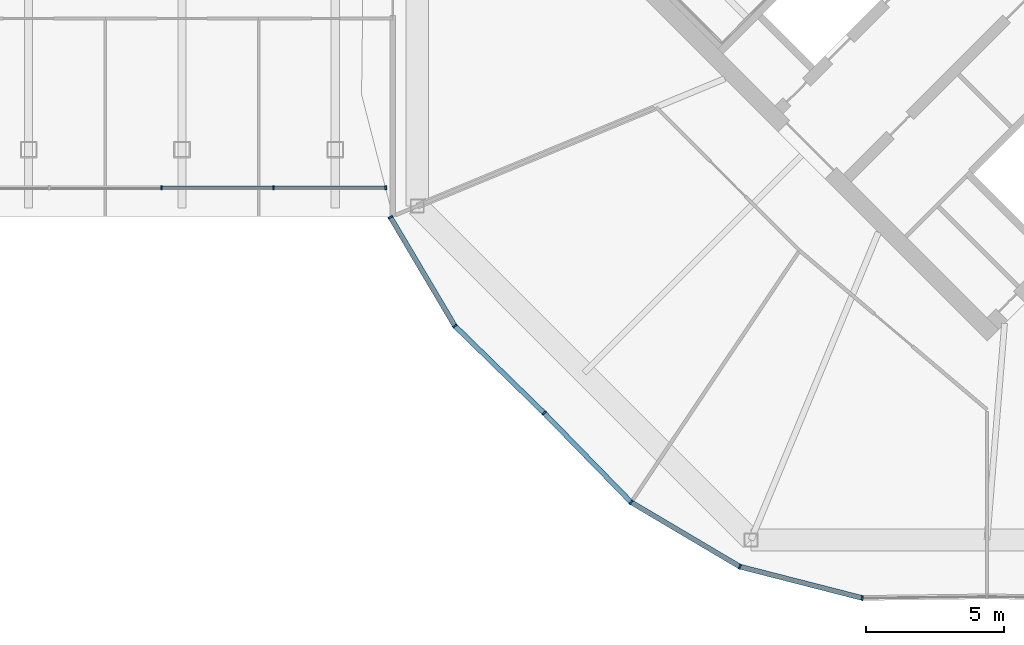
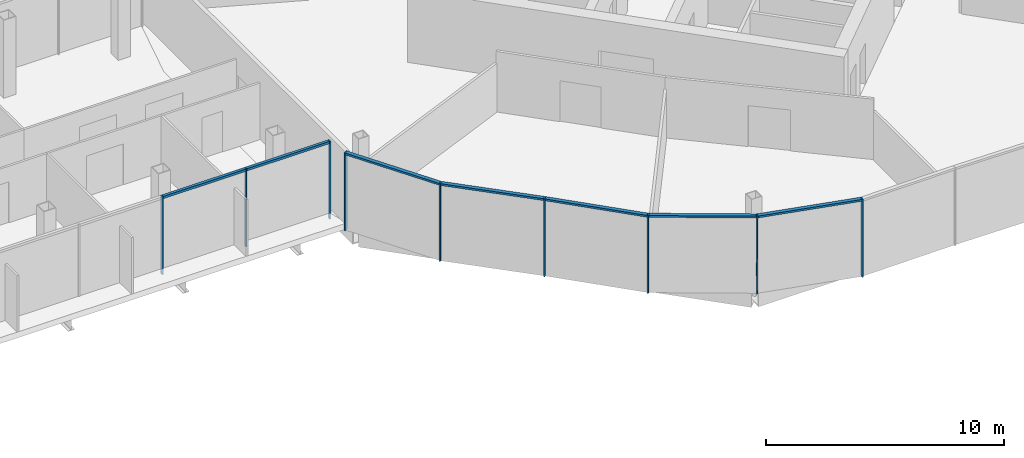
# One storey, part 11 of 25: 16 members, 3 elements without a shape of their own.
"""IFC4 building model written with IfcOpenShell, lengths in metres."""

from ifc_helpers import new_model, si_unit, direction, frame, origin, origin_2d, place, context, subcontext, project, spatial, rectangle, extrude, material, material_profile, profile_set, type_object, element, aggregate, save


model = new_model("IFC4")

# Units and contexts
model_context = context("Model", 3, precision=1e-05, world=origin(), true_north=direction((0.0, 1.0)))
body_context = subcontext(model_context, "Body", "Model", "MODEL_VIEW")
ifc_project = project(units=[si_unit("LENGTHUNIT", "METRE"), si_unit("AREAUNIT", "SQUARE_METRE"), si_unit("VOLUMEUNIT", "CUBIC_METRE"), si_unit("PLANEANGLEUNIT", "RADIAN"), si_unit("MASSUNIT", "GRAM", prefix="KILO")], contexts=[model_context])

# Site, building, storey
site_placement = place(None, origin())
site = spatial("IfcSite", under=ifc_project, at=site_placement, CompositionType="ELEMENT")
building_placement = place(site_placement, origin())
building = spatial("IfcBuilding", under=site, at=building_placement, Name="Ogive Gate Towers", CompositionType="ELEMENT")
storey_placement = place(building_placement, frame((0.0, 0.0, 144.800048828125)))
storey = spatial("IfcBuildingStorey", under=building, at=storey_placement, Name="L34", CompositionType="ELEMENT", Elevation=144.800048828125)

# Curtain wall, members
ifc_material = material(Name="Pale metal aluminium", Category="aluminium")
curtain_wall_type_1 = type_object("IfcCurtainWallType", Name="Gate block facade", PredefinedType="NOTDEFINED", material=ifc_material)
curtain_wall_1_placement = place(storey_placement, origin())
curtain_wall_1 = element("IfcCurtainWall", 1, at=curtain_wall_1_placement, inside=storey, type_object=curtain_wall_type_1, Name="CW3 BR ECW01", PredefinedType="NOTDEFINED")
ifc_material_profile_1 = material_profile(ifc_material, rectangle(XDim=0.139892578125, YDim=0.06005859375, at=origin_2d()), Name="60 x 140 aluminium box")
ifc_profile_set_1 = profile_set([ifc_material_profile_1], Name="Pale metal aluminium")
member_type_1 = type_object("IfcMemberType", Name="Gate block facade mullion 60 x 140", PredefinedType="MULLION", material=ifc_profile_set_1)
member_1_placement = place(storey_placement, frame((6.09326171875, -7.886474609375, -0.300048828125), z_axis=(0.0, 0.0, 1.0), x_axis=(0.0, -1.0, 0.0)))
member_1 = element("IfcMember", 2, at=member_1_placement, type_object=member_type_1, Name="CW3 mullion", PredefinedType="MULLION", context=body_context, shape_type="SweptSolid", body=[
    extrude(rectangle(XDim=0.139892578125, YDim=0.06005859375, at=origin_2d()), origin(), (0.0, 0.0, 1.0), 4.0),
])
member_2_placement = place(storey_placement, frame((10.1552734375, -7.886474609375, -0.300048828125), z_axis=(0.0, 0.0, 1.0), x_axis=(0.0, -1.0, 0.0)))
member_2 = element("IfcMember", 3, at=member_2_placement, type_object=member_type_1, Name="CW3 mullion", PredefinedType="MULLION", context=body_context, shape_type="SweptSolid", body=[
    extrude(rectangle(XDim=0.139892578125, YDim=0.06005859375, at=origin_2d()), origin(), (0.0, 0.0, 1.0), 4.0),
])
member_3_placement = place(storey_placement, frame((14.21728515625, -7.886474609375, -0.300048828125), z_axis=(0.0, 0.0, 1.0), x_axis=(0.0, -1.0, 0.0)))
member_3 = element("IfcMember", 4, at=member_3_placement, type_object=member_type_1, Name="CW3 mullion", PredefinedType="MULLION", context=body_context, shape_type="SweptSolid", body=[
    extrude(rectangle(XDim=0.139892578125, YDim=0.06005859375, at=origin_2d()), origin(), (0.0, 0.0, 1.0), 4.0),
])
ifc_material_profile_2 = material_profile(ifc_material, rectangle(XDim=0.139892578125, YDim=0.1201171875, at=origin_2d()), Name="120 x 140 aluminium box")
ifc_profile_set_2 = profile_set([ifc_material_profile_2], Name="Pale metal aluminium")
member_type_2 = type_object("IfcMemberType", Name="Gate block facade transom 120 x 140", PredefinedType="USERDEFINED", material=ifc_profile_set_2)
member_4_placement = place(storey_placement, frame((6.123291015625, -7.886474609375, 3.639892578125), z_axis=(1.0, 0.0, 0.0), x_axis=(0.0, 1.0, 0.0)))
member_4 = element("IfcMember", 5, at=member_4_placement, type_object=member_type_2, Name="CW3 transom", ObjectType="TRANSOM", PredefinedType="USERDEFINED", context=body_context, shape_type="SweptSolid", body=[
    extrude(rectangle(XDim=0.139892578125, YDim=0.1201171875, at=origin_2d()), origin(), (0.0, 0.0, 1.0), 4.001953125),
])
member_5_placement = place(storey_placement, frame((10.185302734375, -7.886474609375, 3.639892578125), z_axis=(1.0, 0.0, 0.0), x_axis=(0.0, 1.0, 0.0)))
member_5 = element("IfcMember", 6, at=member_5_placement, type_object=member_type_2, Name="CW3 transom", ObjectType="TRANSOM", PredefinedType="USERDEFINED", context=body_context, shape_type="SweptSolid", body=[
    extrude(rectangle(XDim=0.139892578125, YDim=0.1201171875, at=origin_2d()), origin(), (0.0, 0.0, 1.0), 4.002197265625),
])
aggregate(curtain_wall_1, [member_1, member_2, member_4, member_3, member_5])

curtain_wall_type_2 = type_object("IfcCurtainWallType", Name="Tower unitised wall, high zone", PredefinedType="NOTDEFINED", material=ifc_material)
curtain_wall_2_placement = place(storey_placement, origin())
curtain_wall_2 = element("IfcCurtainWall", 7, at=curtain_wall_2_placement, inside=storey, type_object=curtain_wall_type_2, Name="CW2 T2 ECW05", PredefinedType="NOTDEFINED")
ifc_material_profile_3 = material_profile(ifc_material, rectangle(XDim=0.179931640625, YDim=0.06005859375, at=origin_2d()), Name="60 x 180 aluminium box")
ifc_profile_set_3 = profile_set([ifc_material_profile_3], Name="Pale metal aluminium")
member_type_3 = type_object("IfcMemberType", Name="Tower unitised wall, high zone mullion 60 x 180", PredefinedType="MULLION", material=ifc_profile_set_3)
member_6_placement = place(storey_placement, frame((14.388916015625, -8.9501953125, -0.300048828125), z_axis=(0.0, 0.0, 1.0), x_axis=(-0.860466483121, -0.509507047474, 0.0)))
member_6 = element("IfcMember", 8, at=member_6_placement, type_object=member_type_3, Name="CW2 mullion", PredefinedType="MULLION", context=body_context, shape_type="SweptSolid", body=[
    extrude(rectangle(XDim=0.179931640625, YDim=0.06005859375, at=origin_2d()), origin(), (0.0, 0.0, 1.0), 4.0),
])
member_7_placement = place(storey_placement, frame((16.7216796875, -12.889892578125, -0.300048828125), z_axis=(0.0, 0.0, 1.0), x_axis=(-0.786148223999, -0.618038000371, 0.0)))
member_7 = element("IfcMember", 9, at=member_7_placement, type_object=member_type_3, Name="CW2 mullion", PredefinedType="MULLION", context=body_context, shape_type="SweptSolid", body=[
    extrude(rectangle(XDim=0.179931640625, YDim=0.06005859375, at=origin_2d()), origin(), (0.0, 0.0, 1.0), 4.0),
])
member_8_placement = place(storey_placement, frame((19.955810546875, -16.044189453125, -0.300048828125), z_axis=(0.0, 0.0, 1.0), x_axis=(-0.698240387858, -0.715863367385, 0.0)))
member_8 = element("IfcMember", 10, at=member_8_placement, type_object=member_type_3, Name="CW2 mullion", PredefinedType="MULLION", context=body_context, shape_type="SweptSolid", body=[
    extrude(rectangle(XDim=0.179931640625, YDim=0.06005859375, at=origin_2d()), origin(), (0.0, 0.0, 1.0), 4.0),
])

curtain_wall_3_placement = place(storey_placement, origin())
curtain_wall_3 = element("IfcCurtainWall", 11, at=curtain_wall_3_placement, inside=storey, type_object=curtain_wall_type_2, Name="CW2 T2 ECW06", PredefinedType="NOTDEFINED")
member_9_placement = place(storey_placement, frame((23.110107421875, -19.2783203125, -0.300048828125), z_axis=(0.0, 0.0, 1.0), x_axis=(-0.618038000371, -0.786148223999, 0.0)))
member_9 = element("IfcMember", 12, at=member_9_placement, type_object=member_type_3, Name="CW2 mullion", PredefinedType="MULLION", context=body_context, shape_type="SweptSolid", body=[
    extrude(rectangle(XDim=0.179931640625, YDim=0.06005859375, at=origin_2d()), origin(), (0.0, 0.0, 1.0), 4.0),
])
member_10_placement = place(storey_placement, frame((27.048583984375, -21.610595703125, -0.300048828125), z_axis=(0.0, 0.0, 1.0), x_axis=(-0.382683432365, -0.923879532511, 0.0)))
member_10 = element("IfcMember", 13, at=member_10_placement, type_object=member_type_3, Name="CW2 mullion", PredefinedType="MULLION", context=body_context, shape_type="SweptSolid", body=[
    extrude(rectangle(XDim=0.179931640625, YDim=0.06005859375, at=origin_2d()), origin(), (0.0, 0.0, 1.0), 4.0),
])
member_11_placement = place(storey_placement, frame((31.482666015625, -22.746337890625, -0.300048828125), z_axis=(0.0, 0.0, 1.0), x_axis=(-0.118889208638, -0.992907526444, 0.0)))
member_11 = element("IfcMember", 14, at=member_11_placement, type_object=member_type_3, Name="CW2 mullion", PredefinedType="MULLION", context=body_context, shape_type="SweptSolid", body=[
    extrude(rectangle(XDim=0.179931640625, YDim=0.06005859375, at=origin_2d()), origin(), (0.0, 0.0, 1.0), 4.0),
])

# Member
ifc_material_profile_4 = material_profile(ifc_material, rectangle(XDim=0.179931640625, YDim=0.10009765625, at=origin_2d()), Name="100 x 180 aluminium box")
ifc_profile_set_4 = profile_set([ifc_material_profile_4], Name="Pale metal aluminium")
member_type_4 = type_object("IfcMemberType", Name="Tower unitised wall, high zone transom 100 x 180", PredefinedType="USERDEFINED", material=ifc_profile_set_4)
member_12_placement = place(storey_placement, frame((14.404296875, -8.975830078125, 3.64990234375), z_axis=(0.509482534209, -0.860480997661, 0.0), x_axis=(0.860480997661, 0.509482534209, 0.0)))
member_12 = element("IfcMember", 15, at=member_12_placement, type_object=member_type_4, Name="CW2 transom", ObjectType="TRANSOM", PredefinedType="USERDEFINED", context=body_context, shape_type="SweptSolid", body=[
    extrude(rectangle(XDim=0.179931640625, YDim=0.10009765625, at=origin_2d()), origin(), (0.0, 0.0, 1.0), 4.519775390625),
])

member_13_placement = place(storey_placement, frame((16.7421875, -12.909912109375, 3.64990234375), z_axis=(0.71586738825, -0.698236265486, 0.0), x_axis=(0.698236265486, 0.71586738825, 0.0)))
member_13 = element("IfcMember", 16, at=member_13_placement, type_object=member_type_4, Name="CW2 transom", ObjectType="TRANSOM", PredefinedType="USERDEFINED", context=body_context, shape_type="SweptSolid", body=[
    extrude(rectangle(XDim=0.179931640625, YDim=0.10009765625, at=origin_2d()), origin(), (0.0, 0.0, 1.0), 4.458740234375),
])

aggregate(curtain_wall_2, [member_6, member_7, member_12, member_8, member_13])

member_14_placement = place(storey_placement, frame((19.976806640625, -16.06591796875, 3.64990234375), z_axis=(0.698236265486, -0.71586738825, 0.0), x_axis=(0.71586738825, 0.698236265486, 0.0)))
member_14 = element("IfcMember", 17, at=member_14_placement, type_object=member_type_4, Name="CW2 transom", ObjectType="TRANSOM", PredefinedType="USERDEFINED", context=body_context, shape_type="SweptSolid", body=[
    extrude(rectangle(XDim=0.179931640625, YDim=0.10009765625, at=origin_2d()), origin(), (0.0, 0.0, 1.0), 4.458740234375),
])

member_15_placement = place(storey_placement, frame((23.135009765625, -19.29296875, 3.64990234375), z_axis=(0.860480997661, -0.509482534209, 0.0), x_axis=(0.509482534209, 0.860480997661, 0.0)))
member_15 = element("IfcMember", 18, at=member_15_placement, type_object=member_type_4, Name="CW2 transom", ObjectType="TRANSOM", PredefinedType="USERDEFINED", context=body_context, shape_type="SweptSolid", body=[
    extrude(rectangle(XDim=0.179931640625, YDim=0.10009765625, at=origin_2d()), origin(), (0.0, 0.0, 1.0), 4.519775390625),
])

member_16_placement = place(storey_placement, frame((27.076416015625, -21.617431640625, 3.64990234375), z_axis=(0.968708835066, -0.248199905048, 0.0), x_axis=(0.248199905048, 0.968708835066, 0.0)))
member_16 = element("IfcMember", 19, at=member_16_placement, type_object=member_type_4, Name="CW2 transom", ObjectType="TRANSOM", PredefinedType="USERDEFINED", context=body_context, shape_type="SweptSolid", body=[
    extrude(rectangle(XDim=0.179931640625, YDim=0.10009765625, at=origin_2d()), origin(), (0.0, 0.0, 1.0), 4.519775390625),
])

aggregate(curtain_wall_3, [member_9, member_14, member_10, member_15, member_11, member_16])

save(model, "model.ifc")
